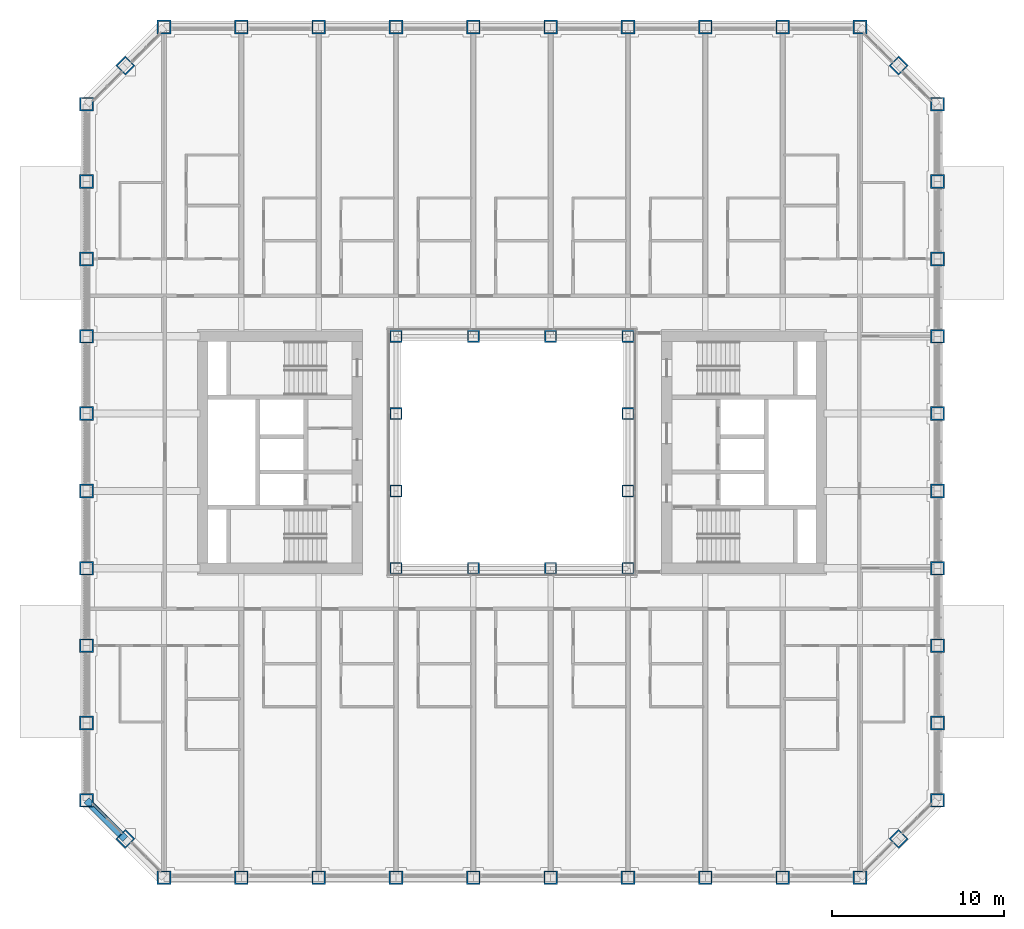
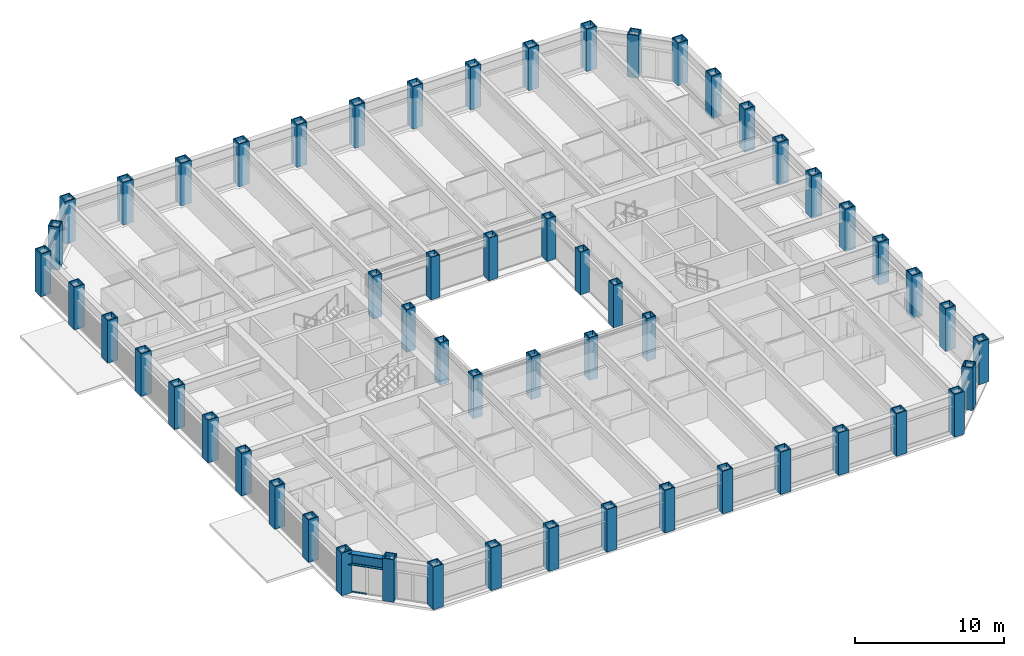
# One storey, part 1 of 24: 56 columns, 2 members, 1 beam, 1 element without a shape of its own.
"""IFC4 building model written with IfcOpenShell, lengths in metres."""

from ifc_helpers import new_model, si_unit, direction, frame, origin, origin_2d, place, context, subcontext, project, spatial, rectangle, hollow_rectangle, i_section, extrude, material, material_profile, profile_set, type_object, element, aggregate, save


model = new_model("IFC4")

# Units and contexts
model_context = context("Model", 3, precision=1e-05, world=origin(), true_north=direction((0.0, 1.0)))
body_context = subcontext(model_context, "Body", "Model", "MODEL_VIEW")
ifc_project = project(units=[si_unit("LENGTHUNIT", "METRE"), si_unit("AREAUNIT", "SQUARE_METRE"), si_unit("VOLUMEUNIT", "CUBIC_METRE"), si_unit("PLANEANGLEUNIT", "RADIAN"), si_unit("MASSUNIT", "GRAM", prefix="KILO")], contexts=[model_context])

# Site, building, storey
site_placement = place(None, origin())
site = spatial("IfcSite", under=ifc_project, at=site_placement, CompositionType="ELEMENT")
building_placement = place(site_placement, origin())
building = spatial("IfcBuilding", under=site, at=building_placement, Name="Msasa Ring Tower", CompositionType="ELEMENT")
storey_placement = place(building_placement, frame((0.0, 0.0, 26.5)))
storey = spatial("IfcBuildingStorey", under=building, at=storey_placement, Name="L05", CompositionType="ELEMENT", Elevation=26.5)

# Columns
ifc_material_1 = material(Name="Steel S355", Category="steel")
ifc_material_profile_1 = material_profile(ifc_material_1, hollow_rectangle(XDim=0.699951171875, YDim=0.699951171875, WallThickness=0.070068359375, at=origin_2d()), Name="BOX 700x700x70")
ifc_profile_set_1 = profile_set([ifc_material_profile_1], Name="Steel S355")
column_type_1 = type_object("IfcColumnType", Name="IC1 BOX 700x700x70", PredefinedType="COLUMN", material=ifc_profile_set_1)
for number, where, z_axis, x_axis, name in (
    (1, (-6.75, -6.75, 0.0), (0.0, 0.0, 1.0), (1.0, 0.0, 0.0), "Inner ring column IR-6.75-6.75 L05"),
    (2, (-6.75, -2.25, 0.0), (0.0, 0.0, 1.0), (1.0, 0.0, 0.0), "Inner ring column IR-6.75-2.25 L05"),
    (3, (-6.75, 2.25, 0.0), (0.0, 0.0, 1.0), (1.0, 0.0, 0.0), "Inner ring column IR-6.75+2.25 L05"),
    (4, (-6.75, 6.75, 0.0), (0.0, 0.0, 1.0), (1.0, 0.0, 0.0), "Inner ring column IR-6.75+6.75 L05"),
    (5, (-2.25, -6.75, 0.0), (0.0, 0.0, 1.0), (1.0, 0.0, 0.0), "Inner ring column IR-2.25-6.75 L05"),
    (6, (-2.25, 6.75, 0.0), (0.0, 0.0, 1.0), (1.0, 0.0, 0.0), "Inner ring column IR-2.25+6.75 L05"),
    (7, (2.25, -6.75, 0.0), (0.0, 0.0, 1.0), (1.0, 0.0, 0.0), "Inner ring column IR+2.25-6.75 L05"),
    (8, (2.25, 6.75, 0.0), (0.0, 0.0, 1.0), (1.0, 0.0, 0.0), "Inner ring column IR+2.25+6.75 L05"),
    (9, (6.75, -6.75, 0.0), (0.0, 0.0, 1.0), (1.0, 0.0, 0.0), "Inner ring column IR+6.75-6.75 L05"),
    (10, (6.75, -2.25, 0.0), (0.0, 0.0, 1.0), (1.0, 0.0, 0.0), "Inner ring column IR+6.75-2.25 L05"),
    (11, (6.75, 2.25, 0.0), (0.0, 0.0, 1.0), (1.0, 0.0, 0.0), "Inner ring column IR+6.75+2.25 L05"),
    (12, (6.75, 6.75, 0.0), (0.0, 0.0, 1.0), (1.0, 0.0, 0.0), "Inner ring column IR+6.75+6.75 L05"),
):
    element("IfcColumn", number, at=place(storey_placement, frame(where, z_axis=z_axis, x_axis=x_axis)), inside=storey, type_object=column_type_1, Name=name, PredefinedType="COLUMN", context=body_context, shape_type="SweptSolid", body=[
        extrude(hollow_rectangle(XDim=0.699951171875, YDim=0.699951171875, WallThickness=0.070068359375, at=origin_2d()), origin(), (0.0, 0.0, 1.0), 3.5),
    ])
ifc_material_2 = material(Name="Steel S355", Category="steel")
ifc_material_profile_2 = material_profile(ifc_material_2, hollow_rectangle(XDim=0.800048828125, YDim=0.800048828125, WallThickness=0.080078125, at=origin_2d()), Name="BOX 800x800x80")
ifc_profile_set_2 = profile_set([ifc_material_profile_2], Name="Steel S355")
column_type_2 = type_object("IfcColumnType", Name="TC1 BOX 800x800x80", PredefinedType="COLUMN", material=ifc_profile_set_2)
for number, where, z_axis, x_axis, name in (
    (13, (-20.25, -24.75, 0.0), (0.0, 0.0, 1.0), (0.0, 1.0, 0.0), "Tube column S-20.25 L05"),
    (14, (-20.25, 24.75, 0.0), (0.0, 0.0, 1.0), (0.0, 1.0, 0.0), "Tube column N-20.25 L05"),
    (15, (24.75, -20.25, 0.0), (0.0, 0.0, 1.0), (1.0, 0.0, 0.0), "Tube column E-20.25 L05"),
    (16, (-24.75, -20.25, 0.0), (0.0, 0.0, 1.0), (1.0, 0.0, 0.0), "Tube column W-20.25 L05"),
    (17, (-15.75, -24.75, 0.0), (0.0, 0.0, 1.0), (0.0, 1.0, 0.0), "Tube column S-15.75 L05"),
    (18, (-15.75, 24.75, 0.0), (0.0, 0.0, 1.0), (0.0, 1.0, 0.0), "Tube column N-15.75 L05"),
    (19, (24.75, -15.75, 0.0), (0.0, 0.0, 1.0), (1.0, 0.0, 0.0), "Tube column E-15.75 L05"),
    (20, (-24.75, -15.75, 0.0), (0.0, 0.0, 1.0), (1.0, 0.0, 0.0), "Tube column W-15.75 L05"),
    (21, (-11.25, -24.75, 0.0), (0.0, 0.0, 1.0), (0.0, 1.0, 0.0), "Tube column S-11.25 L05"),
    (22, (-11.25, 24.75, 0.0), (0.0, 0.0, 1.0), (0.0, 1.0, 0.0), "Tube column N-11.25 L05"),
    (23, (24.75, -11.25, 0.0), (0.0, 0.0, 1.0), (1.0, 0.0, 0.0), "Tube column E-11.25 L05"),
    (24, (-24.75, -11.25, 0.0), (0.0, 0.0, 1.0), (1.0, 0.0, 0.0), "Tube column W-11.25 L05"),
    (25, (-6.75, -24.75, 0.0), (0.0, 0.0, 1.0), (0.0, 1.0, 0.0), "Tube column S-6.75 L05"),
    (26, (-6.75, 24.75, 0.0), (0.0, 0.0, 1.0), (0.0, 1.0, 0.0), "Tube column N-6.75 L05"),
    (27, (24.75, -6.75, 0.0), (0.0, 0.0, 1.0), (1.0, 0.0, 0.0), "Tube column E-6.75 L05"),
    (28, (-24.75, -6.75, 0.0), (0.0, 0.0, 1.0), (1.0, 0.0, 0.0), "Tube column W-6.75 L05"),
    (29, (-2.25, -24.75, 0.0), (0.0, 0.0, 1.0), (0.0, 1.0, 0.0), "Tube column S-2.25 L05"),
    (30, (-2.25, 24.75, 0.0), (0.0, 0.0, 1.0), (0.0, 1.0, 0.0), "Tube column N-2.25 L05"),
    (31, (24.75, -2.25, 0.0), (0.0, 0.0, 1.0), (1.0, 0.0, 0.0), "Tube column E-2.25 L05"),
    (32, (-24.75, -2.25, 0.0), (0.0, 0.0, 1.0), (1.0, 0.0, 0.0), "Tube column W-2.25 L05"),
    (33, (2.25, -24.75, 0.0), (0.0, 0.0, 1.0), (0.0, 1.0, 0.0), "Tube column S+2.25 L05"),
    (34, (2.25, 24.75, 0.0), (0.0, 0.0, 1.0), (0.0, 1.0, 0.0), "Tube column N+2.25 L05"),
    (35, (24.75, 2.25, 0.0), (0.0, 0.0, 1.0), (1.0, 0.0, 0.0), "Tube column E+2.25 L05"),
    (36, (-24.75, 2.25, 0.0), (0.0, 0.0, 1.0), (1.0, 0.0, 0.0), "Tube column W+2.25 L05"),
    (37, (6.75, -24.75, 0.0), (0.0, 0.0, 1.0), (0.0, 1.0, 0.0), "Tube column S+6.75 L05"),
    (38, (6.75, 24.75, 0.0), (0.0, 0.0, 1.0), (0.0, 1.0, 0.0), "Tube column N+6.75 L05"),
    (39, (24.75, 6.75, 0.0), (0.0, 0.0, 1.0), (1.0, 0.0, 0.0), "Tube column E+6.75 L05"),
    (40, (-24.75, 6.75, 0.0), (0.0, 0.0, 1.0), (1.0, 0.0, 0.0), "Tube column W+6.75 L05"),
    (41, (11.25, -24.75, 0.0), (0.0, 0.0, 1.0), (0.0, 1.0, 0.0), "Tube column S+11.25 L05"),
    (42, (11.25, 24.75, 0.0), (0.0, 0.0, 1.0), (0.0, 1.0, 0.0), "Tube column N+11.25 L05"),
    (43, (24.75, 11.25, 0.0), (0.0, 0.0, 1.0), (1.0, 0.0, 0.0), "Tube column E+11.25 L05"),
    (44, (-24.75, 11.25, 0.0), (0.0, 0.0, 1.0), (1.0, 0.0, 0.0), "Tube column W+11.25 L05"),
    (45, (15.75, -24.75, 0.0), (0.0, 0.0, 1.0), (0.0, 1.0, 0.0), "Tube column S+15.75 L05"),
    (46, (15.75, 24.75, 0.0), (0.0, 0.0, 1.0), (0.0, 1.0, 0.0), "Tube column N+15.75 L05"),
    (47, (24.75, 15.75, 0.0), (0.0, 0.0, 1.0), (1.0, 0.0, 0.0), "Tube column E+15.75 L05"),
    (48, (-24.75, 15.75, 0.0), (0.0, 0.0, 1.0), (1.0, 0.0, 0.0), "Tube column W+15.75 L05"),
    (49, (20.25, -24.75, 0.0), (0.0, 0.0, 1.0), (0.0, 1.0, 0.0), "Tube column S+20.25 L05"),
    (50, (20.25, 24.75, 0.0), (0.0, 0.0, 1.0), (0.0, 1.0, 0.0), "Tube column N+20.25 L05"),
    (51, (24.75, 20.25, 0.0), (0.0, 0.0, 1.0), (1.0, 0.0, 0.0), "Tube column E+20.25 L05"),
    (52, (-24.75, 20.25, 0.0), (0.0, 0.0, 1.0), (1.0, 0.0, 0.0), "Tube column W+20.25 L05"),
    (53, (22.5, -22.5, 0.0), (0.0, 0.0, 1.0), (0.707106781187, -0.707106781187, 0.0), "Tube column SE L05"),
    (54, (22.5, 22.5, 0.0), (0.0, 0.0, 1.0), (0.707106781187, 0.707106781187, 0.0), "Tube column NE L05"),
    (55, (-22.5, 22.5, 0.0), (0.0, 0.0, 1.0), (0.707106781187, -0.707106781187, 0.0), "Tube column NW L05"),
    (56, (-22.5, -22.5, 0.0), (0.0, 0.0, 1.0), (0.707106781187, 0.707106781187, 0.0), "Tube column SW L05"),
):
    element("IfcColumn", number, at=place(storey_placement, frame(where, z_axis=z_axis, x_axis=x_axis)), inside=storey, type_object=column_type_2, Name=name, PredefinedType="COLUMN", context=body_context, shape_type="SweptSolid", body=[
        extrude(hollow_rectangle(XDim=0.800048828125, YDim=0.800048828125, WallThickness=0.080078125, at=origin_2d()), origin(), (0.0, 0.0, 1.0), 3.5),
    ])

# Curtain wall, members
ifc_material_3 = material(Name="Aluminium curtain wall with clear glass", Category="aluminium")
curtain_wall_type = type_object("IfcCurtainWallType", Name="CW-C CHAMFER CORNER CURTAIN WALL", PredefinedType="NOTDEFINED", material=ifc_material_3)
curtain_wall_placement = place(storey_placement, origin())
curtain_wall = element("IfcCurtainWall", 57, at=curtain_wall_placement, inside=storey, type_object=curtain_wall_type, Name="Chamfer corner curtain wall SW L05", PredefinedType="NOTDEFINED")
ifc_material_4 = material(Name="Aluminium transom", Category="aluminium")
ifc_material_profile_3 = material_profile(ifc_material_4, rectangle(XDim=0.139892578125, YDim=0.06494140625, at=origin_2d()), Name="AL 65x140")
ifc_profile_set_3 = profile_set([ifc_material_profile_3], Name="Aluminium transom")
member_type = type_object("IfcMemberType", Name="CW-C TRANSOM 65x140", PredefinedType="USERDEFINED", material=ifc_profile_set_3)
member_1_placement = place(storey_placement, frame((-24.346923828125, -20.51171875, 0.032470703125), z_axis=(0.707106781187, -0.707106781187, 0.0), x_axis=(0.707106781187, 0.707106781187, 0.0)))
member_1 = element("IfcMember", 58, at=member_1_placement, type_object=member_type, Name="CW-C transom 1.1", ObjectType="TRANSOM", PredefinedType="USERDEFINED", context=body_context, shape_type="SweptSolid", body=[
    extrude(rectangle(XDim=0.139892578125, YDim=0.06494140625, at=origin_2d()), origin(), (0.0, 0.0, 1.0), 1.08837890625),
])
member_2_placement = place(storey_placement, frame((-24.346923828125, -20.51171875, 2.346435546875), z_axis=(0.707106781187, -0.707106781187, 0.0), x_axis=(0.707106781187, 0.707106781187, 0.0)))
member_2 = element("IfcMember", 59, at=member_2_placement, type_object=member_type, Name="CW-C transom 1.2", ObjectType="TRANSOM", PredefinedType="USERDEFINED", context=body_context, shape_type="SweptSolid", body=[
    extrude(rectangle(XDim=0.139892578125, YDim=0.06494140625, at=origin_2d()), origin(), (0.0, 0.0, 1.0), 1.08837890625),
])
aggregate(curtain_wall, [member_1, member_2])

# Beam
ifc_material_5 = material(Name="Steel S355", Category="steel")
ifc_material_profile_4 = material_profile(ifc_material_5, i_section(OverallWidth=0.42041015625, OverallDepth=0.9208984375, WebThickness=0.021484375, FlangeThickness=0.03662109375, FilletRadius=0.024169921875, at=origin_2d()), Name="UB 914x419x388")
ifc_profile_set_4 = profile_set([ifc_material_profile_4], Name="Steel S355")
beam_type = type_object("IfcBeamType", Name="SB1 UB 914x419x388", PredefinedType="SPANDREL", material=ifc_profile_set_4)
beam_placement = place(storey_placement, frame((-24.75, -20.25, 2.839599609375), z_axis=(0.707106781187, -0.707106781187, 0.0), x_axis=(0.707106781187, 0.707106781187, 0.0)))
element("IfcBeam", 60, at=beam_placement, inside=storey, type_object=beam_type, Name="Spandrel W-20.25 to SW under L06", PredefinedType="SPANDREL", context=body_context, shape_type="SweptSolid", body=[
    extrude(i_section(OverallWidth=0.42041015625, OverallDepth=0.9208984375, WebThickness=0.021484375, FlangeThickness=0.03662109375, FilletRadius=0.024169921875, at=origin_2d()), origin(), (0.0, 0.0, 1.0), 3.181884765625),
])

save(model, "model.ifc")
